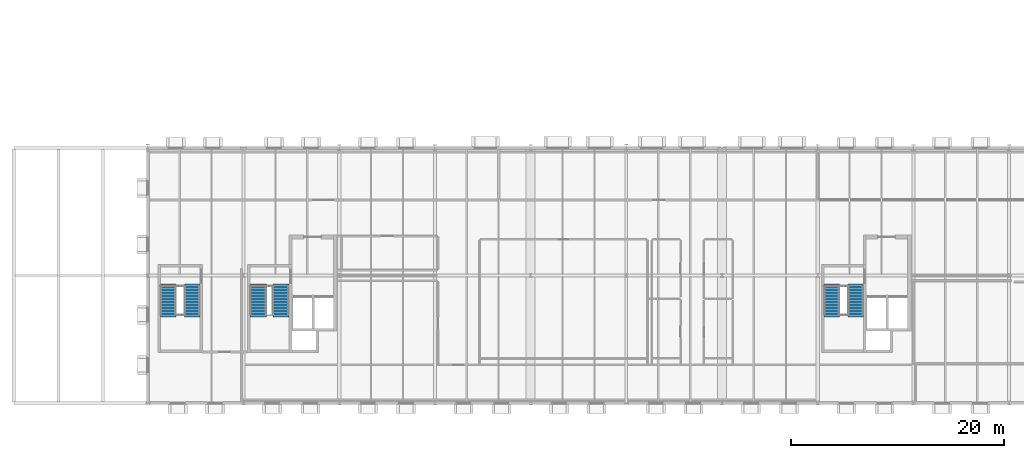
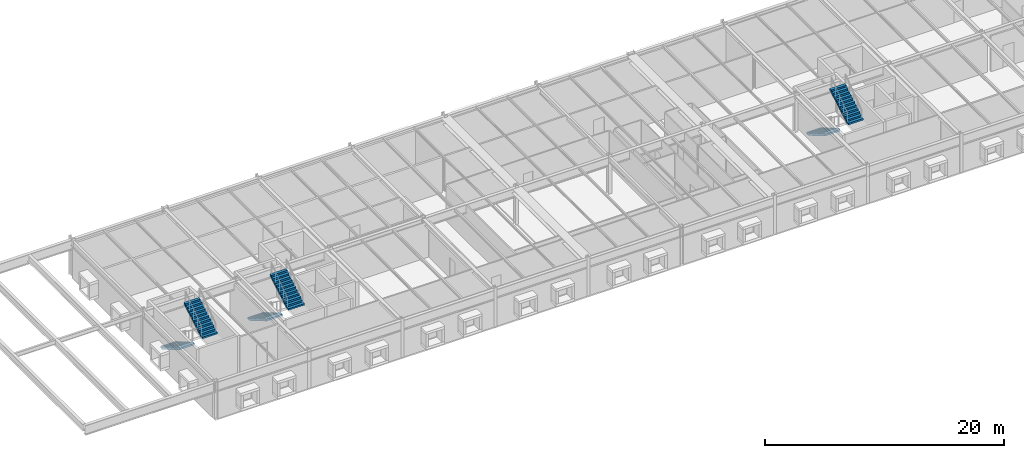
# One storey, part 34 of 36: 6 stair flights, 3 elements without a shape of their own.
"""IFC4 building model written with IfcOpenShell, lengths in metres."""

from ifc_helpers import new_model, si_unit, direction, frame, origin, place, context, subcontext, project, spatial, polyline, outline, extrude, material, type_object, element, aggregate, save


model = new_model("IFC4")

# Units and contexts
model_context = context("Model", 3, precision=1e-05, world=origin(), true_north=direction((0.0, 1.0)))
body_context = subcontext(model_context, "Body", "Model", "MODEL_VIEW")
ifc_project = project(units=[si_unit("LENGTHUNIT", "METRE"), si_unit("AREAUNIT", "SQUARE_METRE"), si_unit("VOLUMEUNIT", "CUBIC_METRE"), si_unit("PLANEANGLEUNIT", "RADIAN"), si_unit("MASSUNIT", "GRAM", prefix="KILO")], contexts=[model_context])

# Site, building, storey
site_placement = place(None, origin())
site = spatial("IfcSite", under=ifc_project, at=site_placement, CompositionType="ELEMENT")
building_placement = place(site_placement, origin())
building = spatial("IfcBuilding", under=site, at=building_placement, Name="Montelvaro Courts of Justice", CompositionType="ELEMENT")
storey_placement = place(building_placement, frame((0.0, 0.0, 23.39990234375)))
storey = spatial("IfcBuildingStorey", under=building, at=storey_placement, Name="L05", CompositionType="ELEMENT", Elevation=23.39990234375)

# Stair, stair flights
ifc_material = material(Name="Concrete C35/45", Category="concrete")
stair_type_1 = type_object("IfcStairType", Name="ProtectedStair_145", PredefinedType="HALF_TURN_STAIR", material=ifc_material)
stair_1_placement = place(storey_placement, origin())
stair_1 = element("IfcStair", 1, at=stair_1_placement, inside=storey, type_object=stair_type_1, Name="Protected Stair ST-K2-L05", PredefinedType="HALF_TURN_STAIR")
stair_flight_type_1 = type_object("IfcStairFlightType", Name="StairFlight_145", PredefinedType="STRAIGHT", material=ifc_material)
stair_flight_1_placement = place(storey_placement, frame((109.324951171875, 11.219970703125, 0.0), z_axis=(0.0, 0.0, 1.0), x_axis=(0.0, -1.0, 0.0)))
stair_flight_1 = element("IfcStairFlight", 2, at=stair_flight_1_placement, type_object=stair_flight_type_1, Name="ST-K2-L05 flight 1", NumberOfRisers=12, NumberOfTreads=11, PredefinedType="STRAIGHT", RiserHeight=0.166666667, TreadLength=0.285, context=body_context, shape_type="SweptSolid", body=[
    extrude(outline(polyline([(0.0, 0.0), (0.0, 0.166748046875), (0.284912109375, 0.166748046875), (0.284912109375, 0.333251953125), (0.570068359375, 0.333251953125), (0.570068359375, 0.5), (0.85498046875, 0.5), (0.85498046875, 0.666748046875), (1.139892578125, 0.666748046875), (1.139892578125, 0.833251953125), (1.425048828125, 0.833251953125), (1.425048828125, 1.0), (1.7099609375, 1.0), (1.7099609375, 1.166748046875), (1.9951171875, 1.166748046875), (1.9951171875, 1.333251953125), (2.280029296875, 1.333251953125), (2.280029296875, 1.5), (2.56494140625, 1.5), (2.56494140625, 1.666748046875), (2.85009765625, 1.666748046875), (2.85009765625, 1.833251953125), (3.135009765625, 1.833251953125), (3.135009765625, 2.0), (3.135009765625, 1.648193359375), (0.31689453125, 0.0), (0.0, 0.0)])), frame((0.0, 0.72509765625, 0.0), z_axis=(0.0, -1.0, 0.0), x_axis=(1.0, 0.0, 0.0)), (0.0, 0.0, 1.0), 1.449951171875),
])
stair_flight_2_placement = place(storey_placement, frame((111.574951171875, 8.0849609375, 2.0), z_axis=(0.0, 0.0, 1.0), x_axis=(0.0, 1.0, 0.0)))
stair_flight_2 = element("IfcStairFlight", 3, at=stair_flight_2_placement, type_object=stair_flight_type_1, Name="ST-K2-L05 flight 2", NumberOfRisers=12, NumberOfTreads=11, PredefinedType="STRAIGHT", RiserHeight=0.166666667, TreadLength=0.285, context=body_context, shape_type="SweptSolid", body=[
    extrude(outline(polyline([(0.0, 0.0), (0.0, 0.166748046875), (0.284912109375, 0.166748046875), (0.284912109375, 0.333251953125), (0.570068359375, 0.333251953125), (0.570068359375, 0.5), (0.85498046875, 0.5), (0.85498046875, 0.666748046875), (1.139892578125, 0.666748046875), (1.139892578125, 0.833251953125), (1.425048828125, 0.833251953125), (1.425048828125, 1.0), (1.7099609375, 1.0), (1.7099609375, 1.166748046875), (1.9951171875, 1.166748046875), (1.9951171875, 1.333251953125), (2.280029296875, 1.333251953125), (2.280029296875, 1.5), (2.56494140625, 1.5), (2.56494140625, 1.666748046875), (2.85009765625, 1.666748046875), (2.85009765625, 1.833251953125), (3.135009765625, 1.833251953125), (3.135009765625, 2.0), (3.135009765625, 1.648193359375), (0.31689453125, 0.0), (0.0, 0.0)])), frame((0.0, 0.72509765625, 0.0), z_axis=(0.0, -1.0, 0.0), x_axis=(1.0, 0.0, 0.0)), (0.0, 0.0, 1.0), 1.449951171875),
])
aggregate(stair_1, [stair_flight_1, stair_flight_2])

stair_2_placement = place(storey_placement, origin())
stair_2 = element("IfcStair", 4, at=stair_2_placement, inside=storey, type_object=stair_type_1, Name="Protected Stair ST-E1-L05", PredefinedType="HALF_TURN_STAIR")
stair_flight_3_placement = place(storey_placement, frame((46.925048828125, 11.219970703125, 0.0), z_axis=(0.0, 0.0, 1.0), x_axis=(0.0, -1.0, 0.0)))
stair_flight_3 = element("IfcStairFlight", 5, at=stair_flight_3_placement, type_object=stair_flight_type_1, Name="ST-E1-L05 flight 1", NumberOfRisers=12, NumberOfTreads=11, PredefinedType="STRAIGHT", RiserHeight=0.166666667, TreadLength=0.285, context=body_context, shape_type="SweptSolid", body=[
    extrude(outline(polyline([(0.0, 0.0), (0.0, 0.166748046875), (0.284912109375, 0.166748046875), (0.284912109375, 0.333251953125), (0.570068359375, 0.333251953125), (0.570068359375, 0.5), (0.85498046875, 0.5), (0.85498046875, 0.666748046875), (1.139892578125, 0.666748046875), (1.139892578125, 0.833251953125), (1.425048828125, 0.833251953125), (1.425048828125, 1.0), (1.7099609375, 1.0), (1.7099609375, 1.166748046875), (1.9951171875, 1.166748046875), (1.9951171875, 1.333251953125), (2.280029296875, 1.333251953125), (2.280029296875, 1.5), (2.56494140625, 1.5), (2.56494140625, 1.666748046875), (2.85009765625, 1.666748046875), (2.85009765625, 1.833251953125), (3.135009765625, 1.833251953125), (3.135009765625, 2.0), (3.135009765625, 1.648193359375), (0.31689453125, 0.0), (0.0, 0.0)])), frame((0.0, 0.72509765625, 0.0), z_axis=(0.0, -1.0, 0.0), x_axis=(1.0, 0.0, 0.0)), (0.0, 0.0, 1.0), 1.449951171875),
])
stair_flight_4_placement = place(storey_placement, frame((49.175048828125, 8.0849609375, 2.0), z_axis=(0.0, 0.0, 1.0), x_axis=(0.0, 1.0, 0.0)))
stair_flight_4 = element("IfcStairFlight", 6, at=stair_flight_4_placement, type_object=stair_flight_type_1, Name="ST-E1-L05 flight 2", NumberOfRisers=12, NumberOfTreads=11, PredefinedType="STRAIGHT", RiserHeight=0.166666667, TreadLength=0.285, context=body_context, shape_type="SweptSolid", body=[
    extrude(outline(polyline([(0.0, 0.0), (0.0, 0.166748046875), (0.284912109375, 0.166748046875), (0.284912109375, 0.333251953125), (0.570068359375, 0.333251953125), (0.570068359375, 0.5), (0.85498046875, 0.5), (0.85498046875, 0.666748046875), (1.139892578125, 0.666748046875), (1.139892578125, 0.833251953125), (1.425048828125, 0.833251953125), (1.425048828125, 1.0), (1.7099609375, 1.0), (1.7099609375, 1.166748046875), (1.9951171875, 1.166748046875), (1.9951171875, 1.333251953125), (2.280029296875, 1.333251953125), (2.280029296875, 1.5), (2.56494140625, 1.5), (2.56494140625, 1.666748046875), (2.85009765625, 1.666748046875), (2.85009765625, 1.833251953125), (3.135009765625, 1.833251953125), (3.135009765625, 2.0), (3.135009765625, 1.648193359375), (0.31689453125, 0.0), (0.0, 0.0)])), frame((0.0, 0.72509765625, 0.0), z_axis=(0.0, -1.0, 0.0), x_axis=(1.0, 0.0, 0.0)), (0.0, 0.0, 1.0), 1.449951171875),
])
aggregate(stair_2, [stair_flight_3, stair_flight_4])

stair_type_2 = type_object("IfcStairType", Name="ProtectedStair_155", PredefinedType="HALF_TURN_STAIR", material=ifc_material)
stair_3_placement = place(storey_placement, origin())
stair_3 = element("IfcStair", 7, at=stair_3_placement, inside=storey, type_object=stair_type_2, Name="Protected Stair ST-K1-L05", PredefinedType="HALF_TURN_STAIR")
stair_flight_type_2 = type_object("IfcStairFlightType", Name="StairFlight_155", PredefinedType="STRAIGHT", material=ifc_material)
stair_flight_5_placement = place(storey_placement, frame((55.375, 11.219970703125, 0.0), z_axis=(0.0, 0.0, 1.0), x_axis=(0.0, -1.0, 0.0)))
stair_flight_5 = element("IfcStairFlight", 8, at=stair_flight_5_placement, type_object=stair_flight_type_2, Name="ST-K1-L05 flight 1", NumberOfRisers=12, NumberOfTreads=11, PredefinedType="STRAIGHT", RiserHeight=0.166666667, TreadLength=0.285, context=body_context, shape_type="SweptSolid", body=[
    extrude(outline(polyline([(0.0, 0.0), (0.0, 0.166748046875), (0.284912109375, 0.166748046875), (0.284912109375, 0.333251953125), (0.570068359375, 0.333251953125), (0.570068359375, 0.5), (0.85498046875, 0.5), (0.85498046875, 0.666748046875), (1.139892578125, 0.666748046875), (1.139892578125, 0.833251953125), (1.425048828125, 0.833251953125), (1.425048828125, 1.0), (1.7099609375, 1.0), (1.7099609375, 1.166748046875), (1.9951171875, 1.166748046875), (1.9951171875, 1.333251953125), (2.280029296875, 1.333251953125), (2.280029296875, 1.5), (2.56494140625, 1.5), (2.56494140625, 1.666748046875), (2.85009765625, 1.666748046875), (2.85009765625, 1.833251953125), (3.135009765625, 1.833251953125), (3.135009765625, 2.0), (3.135009765625, 1.648193359375), (0.31689453125, 0.0), (0.0, 0.0)])), frame((0.0, 0.77490234375, 0.0), z_axis=(0.0, -1.0, 0.0), x_axis=(1.0, 0.0, 0.0)), (0.0, 0.0, 1.0), 1.550048828125),
])
stair_flight_6_placement = place(storey_placement, frame((57.52490234375, 8.0849609375, 2.0), z_axis=(0.0, 0.0, 1.0), x_axis=(0.0, 1.0, 0.0)))
stair_flight_6 = element("IfcStairFlight", 9, at=stair_flight_6_placement, type_object=stair_flight_type_2, Name="ST-K1-L05 flight 2", NumberOfRisers=12, NumberOfTreads=11, PredefinedType="STRAIGHT", RiserHeight=0.166666667, TreadLength=0.285, context=body_context, shape_type="SweptSolid", body=[
    extrude(outline(polyline([(0.0, 0.0), (0.0, 0.166748046875), (0.284912109375, 0.166748046875), (0.284912109375, 0.333251953125), (0.570068359375, 0.333251953125), (0.570068359375, 0.5), (0.85498046875, 0.5), (0.85498046875, 0.666748046875), (1.139892578125, 0.666748046875), (1.139892578125, 0.833251953125), (1.425048828125, 0.833251953125), (1.425048828125, 1.0), (1.7099609375, 1.0), (1.7099609375, 1.166748046875), (1.9951171875, 1.166748046875), (1.9951171875, 1.333251953125), (2.280029296875, 1.333251953125), (2.280029296875, 1.5), (2.56494140625, 1.5), (2.56494140625, 1.666748046875), (2.85009765625, 1.666748046875), (2.85009765625, 1.833251953125), (3.135009765625, 1.833251953125), (3.135009765625, 2.0), (3.135009765625, 1.648193359375), (0.31689453125, 0.0), (0.0, 0.0)])), frame((0.0, 0.77490234375, 0.0), z_axis=(0.0, -1.0, 0.0), x_axis=(1.0, 0.0, 0.0)), (0.0, 0.0, 1.0), 1.550048828125),
])
aggregate(stair_3, [stair_flight_5, stair_flight_6])

save(model, "model.ifc")
